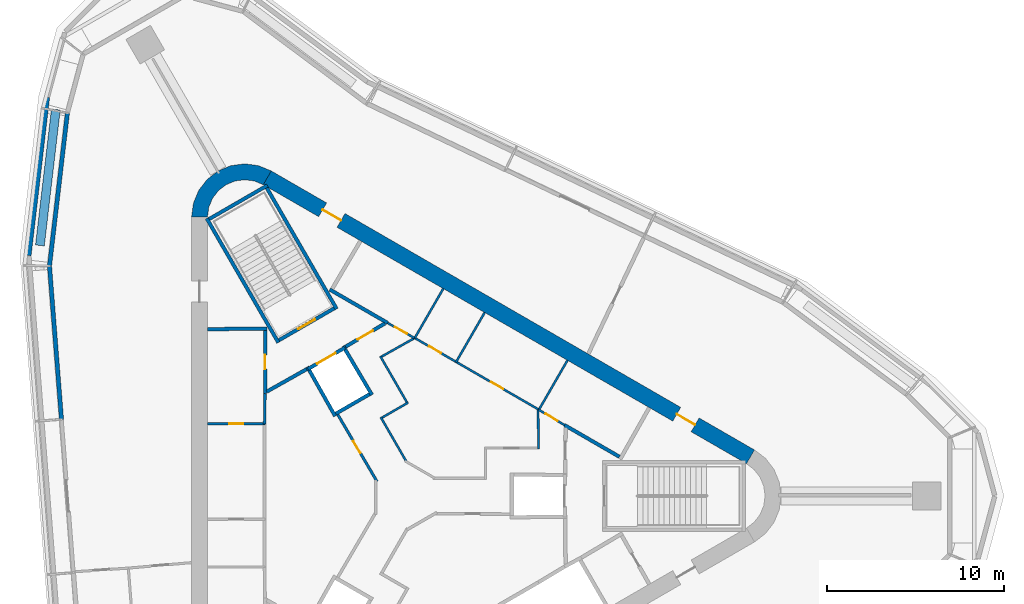
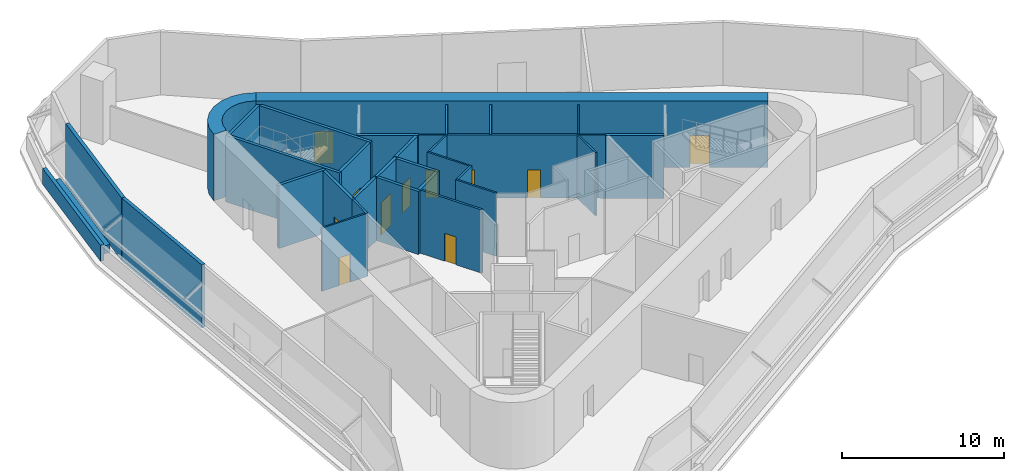
# One storey, part 6 of 8: 34 walls, 12 doors, 12 openings.
"""IFC4 building model written with IfcOpenShell, lengths in metres."""

from ifc_helpers import new_model, si_unit, direction, frame, frame_2d, origin, place, context, subcontext, project, spatial, polyline, rectangle, outline, extrude, material, layer, layer_set, type_object, element, fill, save


model = new_model("IFC4")

# Units and contexts
model_context = context("Model", 3, precision=1e-05, world=origin(), true_north=direction((0.0, 1.0)))
body_context = subcontext(model_context, "Body", "Model", "MODEL_VIEW")
ifc_project = project(units=[si_unit("LENGTHUNIT", "METRE"), si_unit("AREAUNIT", "SQUARE_METRE"), si_unit("VOLUMEUNIT", "CUBIC_METRE"), si_unit("PLANEANGLEUNIT", "RADIAN"), si_unit("MASSUNIT", "GRAM", prefix="KILO")], contexts=[model_context])

# Site, building, storey
site_placement = place(None, origin())
site = spatial("IfcSite", under=ifc_project, at=site_placement, CompositionType="ELEMENT")
building_placement = place(site_placement, origin())
building = spatial("IfcBuilding", under=site, at=building_placement, Name="Tanit Gate Tower", CompositionType="ELEMENT")
storey_placement = place(building_placement, frame((0.0, 0.0, 410.300048828125)))
storey = spatial("IfcBuildingStorey", under=building, at=storey_placement, Name="L93", CompositionType="ELEMENT", Elevation=410.300048828125)

# Wall, openings, doors
ifc_material_1 = material(Name="Concrete C40/50", Category="concrete")
ifc_layer_1 = layer(ifc_material_1, 0.89990234375)
ifc_layer_set_1 = layer_set([ifc_layer_1], Name="CORE WALL 900 C40/50")
wall_type_1 = type_object("IfcWallType", Name="CORE WALL 900 C40/50", PredefinedType="SHEAR", material=ifc_layer_set_1)
wall_1_placement = place(storey_placement, frame((19.47509765625, 2.20849609375, 0.0), z_axis=(0.0, 0.0, 1.0), x_axis=(-0.866028369851, 0.499994862586, 0.0)))
wall_1 = element("IfcWall", 1, at=wall_1_placement, inside=storey, type_object=wall_type_1, Name="CORE WALL", PredefinedType="SHEAR", context=body_context, shape_type="SweptSolid", body=[
    extrude(rectangle(XDim=31.523193359375, YDim=0.89990234375, at=frame_2d((15.76171875, 0.0))), origin(), (0.0, 0.0, 1.0), 5.0),
])
opening_1_placement = place(wall_1_placement, frame((3.611572265625, 0.0, 0.0)))
opening_1 = element("IfcOpeningElement", 2, at=opening_1_placement, cuts=wall_1, Name="Opening F12-93-FL1", PredefinedType="OPENING", context=body_context, shape_type="SweptSolid", body=[
    extrude(rectangle(XDim=1.199951171875, YDim=2.39990234375, at=frame_2d((0.60009765625, 1.199951171875))), frame((0.0, 0.4599609375, 0.0), z_axis=(0.0, -1.0, 0.0), x_axis=(1.0, 0.0, 0.0)), (0.0, 0.0, 1.0), 0.919921875),
])
opening_2_placement = place(wall_1_placement, frame((26.711669921875, 0.0, 0.0)))
opening_2 = element("IfcOpeningElement", 3, at=opening_2_placement, cuts=wall_1, Name="Opening F12-93-S2", PredefinedType="OPENING", context=body_context, shape_type="SweptSolid", body=[
    extrude(rectangle(XDim=1.199951171875, YDim=2.39990234375, at=frame_2d((0.60009765625, 1.199951171875))), frame((0.0, 0.4599609375, 0.0), z_axis=(0.0, -1.0, 0.0), x_axis=(1.0, 0.0, 0.0)), (0.0, 0.0, 1.0), 0.919921875),
])
ifc_material_2 = material(Name="Fire-rated steel door leaf", Category="steel")
door_type_1 = type_object("IfcDoorType", Name="INT-DOOR-FIRE-LOBBY-1200", OperationType="NOTDEFINED", PredefinedType="USERDEFINED", material=ifc_material_2)
door_1_placement = place(opening_1_placement, origin())
door_1 = element("IfcDoor", 4, at=door_1_placement, inside=storey, type_object=door_type_1, Name="Door F12-93-FL1", ObjectType="FIRE DOOR", OperationType="SINGLE_SWING_LEFT", OverallHeight=2.39990234375, OverallWidth=1.199951171875, PredefinedType="USERDEFINED", context=body_context, shape_type="SweptSolid", body=[
    extrude(rectangle(XDim=1.199951171875, YDim=2.39990234375, at=frame_2d((0.60009765625, 1.199951171875))), frame((0.0, 0.02490234375, 0.0), z_axis=(0.0, -1.0, 0.0), x_axis=(1.0, 0.0, 0.0)), (0.0, 0.0, 1.0), 0.050048828125),
])
fill(opening_1, door_1)
door_2_placement = place(opening_2_placement, origin())
door_2 = element("IfcDoor", 5, at=door_2_placement, inside=storey, type_object=door_type_1, Name="Door F12-93-S2", ObjectType="FIRE DOOR", OperationType="SINGLE_SWING_RIGHT", OverallHeight=2.39990234375, OverallWidth=1.199951171875, PredefinedType="USERDEFINED", context=body_context, shape_type="SweptSolid", body=[
    extrude(rectangle(XDim=1.199951171875, YDim=2.39990234375, at=frame_2d((0.60009765625, 1.199951171875))), frame((0.0, 0.02490234375, 0.0), z_axis=(0.0, -1.0, 0.0), x_axis=(1.0, 0.0, 0.0)), (0.0, 0.0, 1.0), 0.050048828125),
])
fill(opening_2, door_2)

# Walls
wall_2_placement = place(storey_placement, origin())
element("IfcWall", 6, at=wall_2_placement, inside=storey, type_object=wall_type_1, Name="CORE WALL CORNER", PredefinedType="SHEAR", context=body_context, shape_type="SweptSolid", body=[
    extrude(outline(polyline([(-7.60009765625, 18.359619140625), (-8.323486328125, 18.659423828125), (-9.10009765625, 18.76171875), (-9.87646484375, 18.659423828125), (-10.60009765625, 18.359619140625), (-11.22119140625, 17.883056640625), (-11.697998046875, 17.26171875), (-11.997802734375, 16.5380859375), (-12.10009765625, 15.76171875), (-11.199951171875, 15.76171875), (-11.12841796875, 16.30517578125), (-10.918701171875, 16.811767578125), (-10.5849609375, 17.24658203125), (-10.14990234375, 17.580322265625), (-9.6435546875, 17.7900390625), (-9.10009765625, 17.86181640625), (-8.556396484375, 17.7900390625), (-8.050048828125, 17.580322265625), (-7.60009765625, 18.359619140625)])), origin(), (0.0, 0.0, 1.0), 5.0),
])
ifc_material_3 = material(Name="Concrete C30/37 with bronze anodised aluminium cladding", Category="concrete")
ifc_layer_2 = layer(ifc_material_3, 0.239990234375)
ifc_layer_set_2 = layer_set([ifc_layer_2], Name="Facade wall bronze clad 240")
wall_type_2 = type_object("IfcWallType", Name="Facade wall bronze clad 240", PredefinedType="SOLIDWALL", material=ifc_layer_set_2)
wall_3_placement = place(storey_placement, frame((-19.11572265625, 21.631591796875, 0.0), z_axis=(0.0, 0.0, 1.0), x_axis=(-0.116339778843, -0.993209472296, 0.0)))
element("IfcWall", 7, at=wall_3_placement, inside=storey, type_object=wall_type_2, Name="Bronze-clad facade wall L93 W1", PredefinedType="SOLIDWALL", context=body_context, shape_type="SweptSolid", body=[
    extrude(rectangle(XDim=8.700439453125, YDim=0.239990234375, at=frame_2d((4.35009765625, 0.0))), origin(), (0.0, 0.0, 1.0), 4.75),
])
wall_4_placement = place(storey_placement, frame((-20.1279296875, 12.990234375, 0.0), z_axis=(0.0, 0.0, 1.0), x_axis=(0.077859344312, -0.996964353677, 0.0)))
element("IfcWall", 8, at=wall_4_placement, inside=storey, type_object=wall_type_2, Name="Bronze-clad facade wall L93 W2a", PredefinedType="SOLIDWALL", context=body_context, shape_type="SweptSolid", body=[
    extrude(rectangle(XDim=8.701416015625, YDim=0.239990234375, at=frame_2d((4.3505859375, 0.0))), origin(), (0.0, 0.0, 1.0), 4.75),
])
ifc_material_4 = material(Name="Fire-rated gypsum board partition")
ifc_layer_3 = layer(ifc_material_4, 0.199951171875)
ifc_layer_set_3 = layer_set([ifc_layer_3], Name="INT-WALL-COMPARTMENT")
wall_type_3 = type_object("IfcWallType", Name="INT-WALL-COMPARTMENT", PredefinedType="PARTITIONING", material=ifc_layer_set_3)
wall_5_placement = place(storey_placement, frame((-7.85009765625, 9.450927734375, 0.0), z_axis=(0.0, 0.0, 1.0), x_axis=(-0.999957167047, -0.009255488683, 0.0)))
element("IfcWall", 9, at=wall_5_placement, inside=storey, type_object=wall_type_3, Name="Wall Compartment W034", PredefinedType="PARTITIONING", context=body_context, shape_type="SweptSolid", body=[
    extrude(rectangle(XDim=3.35009765625, YDim=0.199951171875, at=frame_2d((1.675048828125, 0.0))), origin(), (0.0, 0.0, 1.0), 4.75),
])

# Wall, opening, door
wall_6_placement = place(storey_placement, frame((-7.949951171875, 5.7724609375, 0.0), z_axis=(0.0, 0.0, 1.0), x_axis=(0.0, 1.0, 0.0)))
wall_6 = element("IfcWall", 10, at=wall_6_placement, inside=storey, type_object=wall_type_3, Name="Wall Compartment W035", PredefinedType="PARTITIONING", context=body_context, shape_type="SweptSolid", body=[
    extrude(rectangle(XDim=3.57763671875, YDim=0.199951171875, at=frame_2d((1.788818359375, 0.0))), origin(), (0.0, 0.0, 1.0), 4.75),
])
opening_3_placement = place(wall_6_placement, frame((1.388916015625, 0.0, 0.0)))
opening_3 = element("IfcOpeningElement", 11, at=opening_3_placement, cuts=wall_6, Name="Opening R08-93-13", PredefinedType="OPENING", context=body_context, shape_type="SweptSolid", body=[
    extrude(rectangle(XDim=0.800048828125, YDim=2.10009765625, at=frame_2d((0.39990234375, 1.050048828125))), frame((0.0, 0.10986328125, 0.0), z_axis=(0.0, -1.0, 0.0), x_axis=(1.0, 0.0, 0.0)), (0.0, 0.0, 1.0), 0.219970703125),
])
ifc_material_5 = material(Name="Timber door leaf", Category="wood")
door_type_2 = type_object("IfcDoorType", Name="INT-DOOR-RISER-800", OperationType="NOTDEFINED", PredefinedType="USERDEFINED", material=ifc_material_5)
door_3_placement = place(opening_3_placement, origin())
door_3 = element("IfcDoor", 12, at=door_3_placement, inside=storey, type_object=door_type_2, Name="Door R08-93-13", ObjectType="FIRE DOOR", OperationType="SINGLE_SWING_LEFT", OverallHeight=2.10009765625, OverallWidth=0.800048828125, PredefinedType="USERDEFINED", context=body_context, shape_type="SweptSolid", body=[
    extrude(rectangle(XDim=0.800048828125, YDim=2.10009765625, at=frame_2d((0.39990234375, 1.050048828125))), frame((0.0, 0.02490234375, 0.0), z_axis=(0.0, -1.0, 0.0), x_axis=(1.0, 0.0, 0.0)), (0.0, 0.0, 1.0), 0.050048828125),
])
fill(opening_3, door_3)

# Walls
wall_7_placement = place(storey_placement, frame((-4.295654296875, 11.659912109375, 0.0), z_axis=(0.0, 0.0, 1.0), x_axis=(0.866027389382, -0.499996560828, 0.0)))
element("IfcWall", 13, at=wall_7_placement, inside=storey, type_object=wall_type_3, Name="Wall Compartment W052", PredefinedType="PARTITIONING", context=body_context, shape_type="SweptSolid", body=[
    extrude(rectangle(XDim=3.77783203125, YDim=0.199951171875, at=frame_2d((1.888916015625, 0.0))), origin(), (0.0, 0.0, 1.0), 4.75),
])
wall_8_placement = place(storey_placement, frame((8.97412109375, 3.998779296875, 0.0), z_axis=(0.0, 0.0, 1.0), x_axis=(0.86601284211, -0.500021756827, 0.0)))
element("IfcWall", 14, at=wall_8_placement, inside=storey, type_object=wall_type_3, Name="Wall Compartment W046", PredefinedType="PARTITIONING", context=body_context, shape_type="SweptSolid", body=[
    extrude(rectangle(XDim=3.577392578125, YDim=0.199951171875, at=frame_2d((1.78857421875, 0.0))), origin(), (0.0, 0.0, 1.0), 4.75),
])
wall_9_placement = place(storey_placement, frame((-5.600341796875, 7.16015625, 0.0), z_axis=(0.0, 0.0, 1.0), x_axis=(-0.871350695252, -0.490660744185, 0.0)))
element("IfcWall", 15, at=wall_9_placement, inside=storey, type_object=wall_type_3, Name="Wall Compartment W064", PredefinedType="PARTITIONING", context=body_context, shape_type="SweptSolid", body=[
    extrude(rectangle(XDim=2.58203125, YDim=0.199951171875, at=frame_2d((1.291015625, 0.0))), origin(), (0.0, 0.0, 1.0), 4.75),
])

# Wall, opening, door
wall_10_placement = place(storey_placement, frame((-1.1787109375, 9.744873046875, 0.0), z_axis=(0.0, 0.0, 1.0), x_axis=(-0.860630814782, -0.509229418482, 0.0)))
wall_10 = element("IfcWall", 16, at=wall_10_placement, inside=storey, type_object=wall_type_3, Name="Wall Compartment W065", PredefinedType="PARTITIONING", context=body_context, shape_type="SweptSolid", body=[
    extrude(rectangle(XDim=2.581787109375, YDim=0.199951171875, at=frame_2d((1.291015625, 0.0))), origin(), (0.0, 0.0, 1.0), 4.75),
])
opening_4_placement = place(wall_10_placement, frame((0.791015625, 0.0, 0.0)))
opening_4 = element("IfcOpeningElement", 17, at=opening_4_placement, cuts=wall_10, Name="Opening F10-93-05", PredefinedType="OPENING", context=body_context, shape_type="SweptSolid", body=[
    extrude(rectangle(XDim=1.0, YDim=2.10009765625, at=frame_2d((0.5, 1.050048828125))), frame((0.0, 0.10986328125, 0.0), z_axis=(0.0, -1.0, 0.0), x_axis=(1.0, 0.0, 0.0)), (0.0, 0.0, 1.0), 0.219970703125),
])
ifc_material_6 = material(Name="Fire-rated steel door leaf", Category="steel")
door_type_3 = type_object("IfcDoorType", Name="INT-DOOR-FIRE-1000", OperationType="NOTDEFINED", PredefinedType="USERDEFINED", material=ifc_material_6)
door_4_placement = place(opening_4_placement, origin())
door_4 = element("IfcDoor", 18, at=door_4_placement, inside=storey, type_object=door_type_3, Name="Door F10-93-05", ObjectType="FIRE DOOR", OperationType="SINGLE_SWING_LEFT", OverallHeight=2.10009765625, OverallWidth=1.0, PredefinedType="USERDEFINED", context=body_context, shape_type="SweptSolid", body=[
    extrude(rectangle(XDim=1.0, YDim=2.10009765625, at=frame_2d((0.5, 1.050048828125))), frame((0.0, 0.02490234375, 0.0), z_axis=(0.0, -1.0, 0.0), x_axis=(1.0, 0.0, 0.0)), (0.0, 0.0, 1.0), 0.050048828125),
])
fill(opening_4, door_4)

ifc_material_7 = material(Name="Gypsum board partition")
ifc_layer_4 = layer(ifc_material_7, 0.1201171875)
ifc_layer_set_4 = layer_set([ifc_layer_4], Name="INT-WALL-PARTITION")
wall_type_4 = type_object("IfcWallType", Name="INT-WALL-PARTITION", PredefinedType="PARTITIONING", material=ifc_layer_set_4)
wall_11_placement = place(storey_placement, frame((-11.199951171875, 4.080078125, 0.0), z_axis=(0.0, 0.0, 1.0), x_axis=(1.0, 0.0, 0.0)))
wall_11 = element("IfcWall", 19, at=wall_11_placement, inside=storey, type_object=wall_type_4, Name="Wall Partition W033", PredefinedType="PARTITIONING", context=body_context, shape_type="SweptSolid", body=[
    extrude(rectangle(XDim=3.25, YDim=0.1201171875, at=frame_2d((1.625, 0.0))), origin(), (0.0, 0.0, 1.0), 4.75),
])
opening_5_placement = place(wall_11_placement, frame((1.22509765625, 0.0, 0.0)))
opening_5 = element("IfcOpeningElement", 20, at=opening_5_placement, cuts=wall_11, Name="Opening R08-93-14", PredefinedType="OPENING", context=body_context, shape_type="SweptSolid", body=[
    extrude(rectangle(XDim=0.800048828125, YDim=2.10009765625, at=frame_2d((0.39990234375, 1.050048828125))), frame((0.0, 0.070068359375, 0.0), z_axis=(0.0, -1.0, 0.0), x_axis=(1.0, 0.0, 0.0)), (0.0, 0.0, 1.0), 0.14013671875),
])
door_5_placement = place(opening_5_placement, origin())
door_5 = element("IfcDoor", 21, at=door_5_placement, inside=storey, type_object=door_type_2, Name="Door R08-93-14", ObjectType="FIRE DOOR", OperationType="SINGLE_SWING_LEFT", OverallHeight=2.10009765625, OverallWidth=0.800048828125, PredefinedType="USERDEFINED", context=body_context, shape_type="SweptSolid", body=[
    extrude(rectangle(XDim=0.800048828125, YDim=2.10009765625, at=frame_2d((0.39990234375, 1.050048828125))), frame((0.0, 0.02490234375, 0.0), z_axis=(0.0, -1.0, 0.0), x_axis=(1.0, 0.0, 0.0)), (0.0, 0.0, 1.0), 0.050048828125),
])
fill(opening_5, door_5)

# Wall
wall_12_placement = place(storey_placement, frame((9.13330078125, 7.659423828125, 0.0), z_axis=(0.0, 0.0, 1.0), x_axis=(-0.500017246033, -0.866015446554, 0.0)))
element("IfcWall", 22, at=wall_12_placement, inside=storey, type_object=wall_type_4, Name="Wall Partition W044", PredefinedType="PARTITIONING", context=body_context, shape_type="SweptSolid", body=[
    extrude(rectangle(XDim=3.25, YDim=0.1201171875, at=frame_2d((1.625, 0.0))), origin(), (0.0, 0.0, 1.0), 4.75),
])

# Wall, opening, door
wall_13_placement = place(storey_placement, frame((7.4931640625, 4.87841796875, 0.0), z_axis=(0.0, 0.0, 1.0), x_axis=(0.859934455514, -0.510404479035, 0.0)))
wall_13 = element("IfcWall", 23, at=wall_13_placement, inside=storey, type_object=wall_type_4, Name="Wall Partition W047", PredefinedType="PARTITIONING", context=body_context, shape_type="SweptSolid", body=[
    extrude(rectangle(XDim=1.722412109375, YDim=0.1201171875, at=frame_2d((0.861328125, 0.0))), origin(), (0.0, 0.0, 1.0), 4.75),
])
opening_6_placement = place(wall_13_placement, frame((0.461181640625, 0.0, 0.0)))
opening_6 = element("IfcOpeningElement", 24, at=opening_6_placement, cuts=wall_13, Name="Opening R08-93-17", PredefinedType="OPENING", context=body_context, shape_type="SweptSolid", body=[
    extrude(rectangle(XDim=0.800048828125, YDim=2.10009765625, at=frame_2d((0.39990234375, 1.050048828125))), frame((0.0, 0.070068359375, 0.0), z_axis=(0.0, -1.0, 0.0), x_axis=(1.0, 0.0, 0.0)), (0.0, 0.0, 1.0), 0.14013671875),
])
door_6_placement = place(opening_6_placement, origin())
door_6 = element("IfcDoor", 25, at=door_6_placement, inside=storey, type_object=door_type_2, Name="Door R08-93-17", ObjectType="FIRE DOOR", OperationType="SINGLE_SWING_RIGHT", OverallHeight=2.10009765625, OverallWidth=0.800048828125, PredefinedType="USERDEFINED", context=body_context, shape_type="SweptSolid", body=[
    extrude(rectangle(XDim=0.800048828125, YDim=2.10009765625, at=frame_2d((0.39990234375, 1.050048828125))), frame((0.0, 0.02490234375, 0.0), z_axis=(0.0, -1.0, 0.0), x_axis=(1.0, 0.0, 0.0)), (0.0, 0.0, 1.0), 0.050048828125),
])
fill(opening_6, door_6)

# Wall
wall_14_placement = place(storey_placement, frame((4.456787109375, 10.359375, 0.0), z_axis=(0.0, 0.0, 1.0), x_axis=(-0.500017246033, -0.866015446554, 0.0)))
element("IfcWall", 26, at=wall_14_placement, inside=storey, type_object=wall_type_4, Name="Wall Partition W048", PredefinedType="PARTITIONING", context=body_context, shape_type="SweptSolid", body=[
    extrude(rectangle(XDim=3.25, YDim=0.1201171875, at=frame_2d((1.625, 0.0))), origin(), (0.0, 0.0, 1.0), 4.75),
])

# Wall, openings, doors
wall_15_placement = place(storey_placement, frame((7.497314453125, 4.885986328125, 0.0), z_axis=(0.0, 0.0, 1.0), x_axis=(-0.866030989016, 0.499990325971, 0.0)))
wall_15 = element("IfcWall", 27, at=wall_15_placement, inside=storey, type_object=wall_type_4, Name="Wall Partition W049", PredefinedType="PARTITIONING", context=body_context, shape_type="SweptSolid", body=[
    extrude(rectangle(XDim=8.099853515625, YDim=0.1201171875, at=frame_2d((4.0498046875, 0.0))), origin(), (0.0, 0.0, 1.0), 4.75),
])
opening_7_placement = place(wall_15_placement, frame((2.300048828125, 0.0, 0.0)))
opening_7 = element("IfcOpeningElement", 28, at=opening_7_placement, cuts=wall_15, Name="Opening R08-93-18", PredefinedType="OPENING", context=body_context, shape_type="SweptSolid", body=[
    extrude(rectangle(XDim=0.800048828125, YDim=2.10009765625, at=frame_2d((0.39990234375, 1.050048828125))), frame((0.0, 0.070068359375, 0.0), z_axis=(0.0, -1.0, 0.0), x_axis=(1.0, 0.0, 0.0)), (0.0, 0.0, 1.0), 0.14013671875),
])
opening_8_placement = place(wall_15_placement, frame((6.35009765625, 0.0, 0.0)))
opening_8 = element("IfcOpeningElement", 29, at=opening_8_placement, cuts=wall_15, Name="Opening R08-93-19", PredefinedType="OPENING", context=body_context, shape_type="SweptSolid", body=[
    extrude(rectangle(XDim=0.800048828125, YDim=2.10009765625, at=frame_2d((0.39990234375, 1.050048828125))), frame((0.0, 0.070068359375, 0.0), z_axis=(0.0, -1.0, 0.0), x_axis=(1.0, 0.0, 0.0)), (0.0, 0.0, 1.0), 0.14013671875),
])
door_7_placement = place(opening_7_placement, origin())
door_7 = element("IfcDoor", 30, at=door_7_placement, inside=storey, type_object=door_type_2, Name="Door R08-93-18", ObjectType="FIRE DOOR", OperationType="SINGLE_SWING_RIGHT", OverallHeight=2.10009765625, OverallWidth=0.800048828125, PredefinedType="USERDEFINED", context=body_context, shape_type="SweptSolid", body=[
    extrude(rectangle(XDim=0.800048828125, YDim=2.10009765625, at=frame_2d((0.39990234375, 1.050048828125))), frame((0.0, 0.02490234375, 0.0), z_axis=(0.0, -1.0, 0.0), x_axis=(1.0, 0.0, 0.0)), (0.0, 0.0, 1.0), 0.050048828125),
])
fill(opening_7, door_7)
door_8_placement = place(opening_8_placement, origin())
door_8 = element("IfcDoor", 31, at=door_8_placement, inside=storey, type_object=door_type_2, Name="Door R08-93-19", ObjectType="FIRE DOOR", OperationType="SINGLE_SWING_LEFT", OverallHeight=2.10009765625, OverallWidth=0.800048828125, PredefinedType="USERDEFINED", context=body_context, shape_type="SweptSolid", body=[
    extrude(rectangle(XDim=0.800048828125, YDim=2.10009765625, at=frame_2d((0.39990234375, 1.050048828125))), frame((0.0, 0.02490234375, 0.0), z_axis=(0.0, -1.0, 0.0), x_axis=(1.0, 0.0, 0.0)), (0.0, 0.0, 1.0), 0.050048828125),
])
fill(opening_8, door_8)

# Wall
wall_16_placement = place(storey_placement, frame((0.49365234375, 8.89501953125, 0.0), z_axis=(0.0, 0.0, 1.0), x_axis=(0.500017246033, 0.866015446554, 0.0)))
element("IfcWall", 32, at=wall_16_placement, inside=storey, type_object=wall_type_4, Name="Wall Partition W050", PredefinedType="PARTITIONING", context=body_context, shape_type="SweptSolid", body=[
    extrude(rectangle(XDim=3.25, YDim=0.1201171875, at=frame_2d((1.625, 0.0))), origin(), (0.0, 0.0, 1.0), 4.75),
])

# Wall, opening, door
wall_17_placement = place(storey_placement, frame((-1.023681640625, 9.771728515625, 0.0), z_axis=(0.0, 0.0, 1.0), x_axis=(0.871968924608, -0.489561226527, 0.0)))
wall_17 = element("IfcWall", 33, at=wall_17_placement, inside=storey, type_object=wall_type_4, Name="Wall Partition W054", PredefinedType="PARTITIONING", context=body_context, shape_type="SweptSolid", body=[
    extrude(rectangle(XDim=1.722412109375, YDim=0.1201171875, at=frame_2d((0.861328125, 0.0))), origin(), (0.0, 0.0, 1.0), 4.75),
])
opening_9_placement = place(wall_17_placement, frame((0.461181640625, 0.0, 0.0)))
opening_9 = element("IfcOpeningElement", 34, at=opening_9_placement, cuts=wall_17, Name="Opening R08-93-20", PredefinedType="OPENING", context=body_context, shape_type="SweptSolid", body=[
    extrude(rectangle(XDim=0.800048828125, YDim=2.10009765625, at=frame_2d((0.39990234375, 1.050048828125))), frame((0.0, 0.070068359375, 0.0), z_axis=(0.0, -1.0, 0.0), x_axis=(1.0, 0.0, 0.0)), (0.0, 0.0, 1.0), 0.14013671875),
])
door_9_placement = place(opening_9_placement, origin())
door_9 = element("IfcDoor", 35, at=door_9_placement, inside=storey, type_object=door_type_2, Name="Door R08-93-20", ObjectType="FIRE DOOR", OperationType="SINGLE_SWING_LEFT", OverallHeight=2.10009765625, OverallWidth=0.800048828125, PredefinedType="USERDEFINED", context=body_context, shape_type="SweptSolid", body=[
    extrude(rectangle(XDim=0.800048828125, YDim=2.10009765625, at=frame_2d((0.39990234375, 1.050048828125))), frame((0.0, 0.02490234375, 0.0), z_axis=(0.0, -1.0, 0.0), x_axis=(1.0, 0.0, 0.0)), (0.0, 0.0, 1.0), 0.050048828125),
])
fill(opening_9, door_9)

# Walls
wall_18_placement = place(storey_placement, frame((7.500732421875, 2.639892578125, 0.0), z_axis=(0.0, 0.0, 1.0), x_axis=(-0.01174194727, 0.999931060961, 0.0)))
element("IfcWall", 36, at=wall_18_placement, inside=storey, type_object=wall_type_4, Name="Wall Partition W077", PredefinedType="PARTITIONING", context=body_context, shape_type="SweptSolid", body=[
    extrude(rectangle(XDim=2.224853515625, YDim=0.1201171875, at=frame_2d((1.1123046875, 0.0))), origin(), (0.0, 0.0, 1.0), 4.75),
])
wall_19_placement = place(storey_placement, frame((-1.4140625, 4.448974609375, 0.0), z_axis=(0.0, 0.0, 1.0), x_axis=(0.500028961621, -0.866008682139, 0.0)))
element("IfcWall", 37, at=wall_19_placement, inside=storey, type_object=wall_type_4, Name="Wall Partition W082", PredefinedType="PARTITIONING", context=body_context, shape_type="SweptSolid", body=[
    extrude(rectangle(XDim=2.895751953125, YDim=0.1201171875, at=frame_2d((1.44775390625, 0.0))), origin(), (0.0, 0.0, 1.0), 4.75),
])
wall_20_placement = place(storey_placement, frame((0.14013671875, 5.277099609375, 0.0), z_axis=(0.0, 0.0, 1.0), x_axis=(-0.865989465428, -0.500062241894, 0.0)))
element("IfcWall", 38, at=wall_20_placement, inside=storey, type_object=wall_type_4, Name="Wall Partition W083", PredefinedType="PARTITIONING", context=body_context, shape_type="SweptSolid", body=[
    extrude(rectangle(XDim=1.699951171875, YDim=0.1201171875, at=frame_2d((0.85009765625, 0.0))), origin(), (0.0, 0.0, 1.0), 4.75),
])
wall_21_placement = place(storey_placement, frame((-1.441650390625, 7.897216796875, 0.0), z_axis=(0.0, 0.0, 1.0), x_axis=(0.499990139034, -0.866031096941, 0.0)))
element("IfcWall", 39, at=wall_21_placement, inside=storey, type_object=wall_type_4, Name="Wall Partition W084", PredefinedType="PARTITIONING", context=body_context, shape_type="SweptSolid", body=[
    extrude(rectangle(XDim=3.0, YDim=0.1201171875, at=frame_2d((1.5, 0.0))), origin(), (0.0, 0.0, 1.0), 4.75),
])
wall_22_placement = place(storey_placement, frame((0.475341796875, 8.9052734375, 0.0), z_axis=(0.0, 0.0, 1.0), x_axis=(-0.871832572129, -0.489804007921, 0.0)))
element("IfcWall", 40, at=wall_22_placement, inside=storey, type_object=wall_type_4, Name="Wall Partition W085", PredefinedType="PARTITIONING", context=body_context, shape_type="SweptSolid", body=[
    extrude(rectangle(XDim=2.1044921875, YDim=0.1201171875, at=frame_2d((1.05224609375, 0.0))), origin(), (0.0, 0.0, 1.0), 4.75),
])
ifc_material_8 = material(Name="Fire-rated gypsum board partition")
ifc_layer_5 = layer(ifc_material_8, 0.14990234375)
ifc_layer_set_5 = layer_set([ifc_layer_5], Name="INT-WALL-RISER")
wall_type_5 = type_object("IfcWallType", Name="INT-WALL-RISER", PredefinedType="PLUMBINGWALL", material=ifc_layer_set_5)
wall_23_placement = place(storey_placement, frame((-7.951171875, 5.7724609375, 0.0), z_axis=(0.0, 0.0, 1.0), x_axis=(-0.016723387416, -0.999860154378, 0.0)))
element("IfcWall", 41, at=wall_23_placement, inside=storey, type_object=wall_type_5, Name="Wall Riser W036", PredefinedType="PLUMBINGWALL", context=body_context, shape_type="SweptSolid", body=[
    extrude(rectangle(XDim=1.72265625, YDim=0.14990234375, at=frame_2d((0.861328125, 0.0))), origin(), (0.0, 0.0, 1.0), 4.75),
])

# Wall, opening, door
wall_24_placement = place(storey_placement, frame((-1.6240234375, 0.814697265625, 0.0), z_axis=(0.0, 0.0, 1.0), x_axis=(-0.505868173579, 0.862610799237, 0.0)))
wall_24 = element("IfcWall", 42, at=wall_24_placement, inside=storey, type_object=wall_type_5, Name="Wall Riser W068", PredefinedType="PLUMBINGWALL", context=body_context, shape_type="SweptSolid", body=[
    extrude(rectangle(XDim=4.382568359375, YDim=0.14990234375, at=frame_2d((2.19140625, 0.0))), origin(), (0.0, 0.0, 1.0), 4.75),
])
opening_10_placement = place(wall_24_placement, frame((1.855224609375, 0.0, 0.0)))
opening_10 = element("IfcOpeningElement", 43, at=opening_10_placement, cuts=wall_24, Name="Opening R08-93-10", PredefinedType="OPENING", context=body_context, shape_type="SweptSolid", body=[
    extrude(rectangle(XDim=0.800048828125, YDim=2.10009765625, at=frame_2d((0.39990234375, 1.050048828125))), frame((0.0, 0.0849609375, 0.0), z_axis=(0.0, -1.0, 0.0), x_axis=(1.0, 0.0, 0.0)), (0.0, 0.0, 1.0), 0.169921875),
])
door_10_placement = place(opening_10_placement, origin())
door_10 = element("IfcDoor", 44, at=door_10_placement, inside=storey, type_object=door_type_2, Name="Door R08-93-10", ObjectType="FIRE DOOR", OperationType="SINGLE_SWING_RIGHT", OverallHeight=2.10009765625, OverallWidth=0.800048828125, PredefinedType="USERDEFINED", context=body_context, shape_type="SweptSolid", body=[
    extrude(rectangle(XDim=0.800048828125, YDim=2.10009765625, at=frame_2d((0.39990234375, 1.050048828125))), frame((0.0, 0.02490234375, 0.0), z_axis=(0.0, -1.0, 0.0), x_axis=(1.0, 0.0, 0.0)), (0.0, 0.0, 1.0), 0.050048828125),
])
fill(opening_10, door_10)

ifc_material_9 = material(Name="Gypsum shaft wall system")
ifc_layer_6 = layer(ifc_material_9, 0.199951171875)
ifc_layer_set_6 = layer_set([ifc_layer_6], Name="INT-WALL-SHAFT")
wall_type_6 = type_object("IfcWallType", Name="INT-WALL-SHAFT", PredefinedType="PLUMBINGWALL", material=ifc_layer_set_6)
wall_25_placement = place(storey_placement, frame((-5.524169921875, 7.168212890625, 0.0), z_axis=(0.0, 0.0, 1.0), x_axis=(0.866024647952, 0.500001309137, 0.0)))
wall_25 = element("IfcWall", 45, at=wall_25_placement, inside=storey, type_object=wall_type_6, Name="Wall Shaft W019", PredefinedType="PLUMBINGWALL", context=body_context, shape_type="SweptSolid", body=[
    extrude(rectangle(XDim=2.39990234375, YDim=0.199951171875, at=frame_2d((1.199951171875, 0.0))), origin(), (0.0, 0.0, 1.0), 4.75),
])
opening_11_placement = place(wall_25_placement, frame((0.60009765625, 0.0, 0.0)))
opening_11 = element("IfcOpeningElement", 46, at=opening_11_placement, cuts=wall_25, Name="Opening LDFL2-L93", PredefinedType="OPENING", context=body_context, shape_type="SweptSolid", body=[
    extrude(rectangle(XDim=1.199951171875, YDim=2.39990234375, at=frame_2d((0.60009765625, 1.199951171875))), frame((0.0, 0.10986328125, 0.0), z_axis=(0.0, -1.0, 0.0), x_axis=(1.0, 0.0, 0.0)), (0.0, 0.0, 1.0), 0.219970703125),
])
ifc_material_10 = material(Name="Stainless steel sliding door leaf", Category="steel")
door_type_4 = type_object("IfcDoorType", Name="INT-DOOR-LANDING-1200", OperationType="NOTDEFINED", PredefinedType="USERDEFINED", material=ifc_material_10)
door_11_placement = place(opening_11_placement, origin())
door_11 = element("IfcDoor", 47, at=door_11_placement, inside=storey, type_object=door_type_4, Name="Door LDFL2-L93", ObjectType="LANDING DOOR", OperationType="SLIDING_TO_LEFT", OverallHeight=2.39990234375, OverallWidth=1.199951171875, PredefinedType="USERDEFINED", context=body_context, shape_type="SweptSolid", body=[
    extrude(rectangle(XDim=1.199951171875, YDim=2.39990234375, at=frame_2d((0.60009765625, 1.199951171875))), frame((0.0, 0.02490234375, 0.0), z_axis=(0.0, -1.0, 0.0), x_axis=(1.0, 0.0, 0.0)), (0.0, 0.0, 1.0), 0.050048828125),
])
fill(opening_11, door_11)

# Walls
wall_26_placement = place(storey_placement, frame((-2.04736328125, 5.74609375, 0.0), z_axis=(0.0, 0.0, 1.0), x_axis=(-0.86605622881, -0.499946605688, 0.0)))
element("IfcWall", 48, at=wall_26_placement, inside=storey, type_object=wall_type_6, Name="Wall Shaft W023", PredefinedType="PLUMBINGWALL", context=body_context, shape_type="SweptSolid", body=[
    extrude(rectangle(XDim=2.199951171875, YDim=0.199951171875, at=frame_2d((1.10009765625, 0.0))), origin(), (0.0, 0.0, 1.0), 4.75),
])
wall_27_placement = place(storey_placement, frame((-3.989990234375, 4.509033203125, 0.0), z_axis=(0.0, 0.0, 1.0), x_axis=(-0.491358283181, 0.870957540612, 0.0)))
element("IfcWall", 49, at=wall_27_placement, inside=storey, type_object=wall_type_6, Name="Wall Shaft W021", PredefinedType="PLUMBINGWALL", context=body_context, shape_type="SweptSolid", body=[
    extrude(rectangle(XDim=3.200439453125, YDim=0.199951171875, at=frame_2d((1.60009765625, 0.0))), origin(), (0.0, 0.0, 1.0), 4.75),
])
wall_28_placement = place(storey_placement, frame((-3.53759765625, 8.46533203125, 0.0), z_axis=(0.0, 0.0, 1.0), x_axis=(0.508616218331, -0.860993346345, 0.0)))
element("IfcWall", 50, at=wall_28_placement, inside=storey, type_object=wall_type_6, Name="Wall Shaft W022", PredefinedType="PLUMBINGWALL", context=body_context, shape_type="SweptSolid", body=[
    extrude(rectangle(XDim=3.2001953125, YDim=0.199951171875, at=frame_2d((1.60009765625, 0.0))), origin(), (0.0, 0.0, 1.0), 4.75),
])
ifc_material_11 = material(Name="Concrete C40/50", Category="concrete")
ifc_layer_7 = layer(ifc_material_11, 0.199951171875)
ifc_layer_set_7 = layer_set([ifc_layer_7], Name="INT-WALL-STAIR")
wall_type_7 = type_object("IfcWallType", Name="INT-WALL-STAIR", PredefinedType="SHEAR", material=ifc_layer_set_7)
wall_29_placement = place(storey_placement, frame((-11.245361328125, 15.677734375, -0.25), z_axis=(0.0, 0.0, 1.0), x_axis=(0.499977274689, -0.866038523851, 0.0)))
element("IfcWall", 51, at=wall_29_placement, inside=storey, type_object=wall_type_7, Name="Wall Stair W015", PredefinedType="SHEAR", context=body_context, shape_type="SweptSolid", body=[
    extrude(rectangle(XDim=8.10009765625, YDim=0.199951171875, at=frame_2d((4.050048828125, 0.0))), origin(), (0.0, 0.0, 1.0), 5.0),
])
wall_30_placement = place(storey_placement, frame((-7.81787109375, 17.541015625, -0.25), z_axis=(0.0, 0.0, 1.0), x_axis=(-0.866044365799, -0.499967155389, 0.0)))
element("IfcWall", 52, at=wall_30_placement, inside=storey, type_object=wall_type_7, Name="Wall Stair W016", PredefinedType="SHEAR", context=body_context, shape_type="SweptSolid", body=[
    extrude(rectangle(XDim=3.800048828125, YDim=0.199951171875, at=frame_2d((1.89990234375, 0.0))), origin(), (0.0, 0.0, 1.0), 5.0),
])
wall_31_placement = place(storey_placement, frame((-7.8544921875, 17.404541015625, -0.25), z_axis=(0.0, 0.0, 1.0), x_axis=(0.499997992926, -0.866026562566, 0.0)))
element("IfcWall", 53, at=wall_31_placement, inside=storey, type_object=wall_type_7, Name="Wall Stair W017", PredefinedType="SHEAR", context=body_context, shape_type="SweptSolid", body=[
    extrude(rectangle(XDim=7.89990234375, YDim=0.199951171875, at=frame_2d((3.949951171875, 0.0))), origin(), (0.0, 0.0, 1.0), 5.0),
])

# Wall, opening, door
wall_32_placement = place(storey_placement, frame((-7.158935546875, 8.799560546875, -0.25), z_axis=(0.0, 0.0, 1.0), x_axis=(0.866047807691, 0.499961193289, 0.0)))
wall_32 = element("IfcWall", 54, at=wall_32_placement, inside=storey, type_object=wall_type_7, Name="Wall Stair W018", PredefinedType="SHEAR", context=body_context, shape_type="SweptSolid", body=[
    extrude(rectangle(XDim=3.599853515625, YDim=0.199951171875, at=frame_2d((1.7998046875, 0.0))), origin(), (0.0, 0.0, 1.0), 5.0),
])
opening_12_placement = place(wall_32_placement, frame((1.25, 0.0, 0.25)))
opening_12 = element("IfcOpeningElement", 55, at=opening_12_placement, cuts=wall_32, Name="Opening S11-93-04", PredefinedType="OPENING", context=body_context, shape_type="SweptSolid", body=[
    extrude(rectangle(XDim=1.10009765625, YDim=2.10009765625, at=frame_2d((0.550048828125, 1.050048828125))), frame((0.0, 0.10986328125, 0.0), z_axis=(0.0, -1.0, 0.0), x_axis=(1.0, 0.0, 0.0)), (0.0, 0.0, 1.0), 0.219970703125),
])
ifc_material_12 = material(Name="Timber door leaf", Category="wood")
door_type_5 = type_object("IfcDoorType", Name="INT-DOOR-STAIR-1100", OperationType="NOTDEFINED", PredefinedType="USERDEFINED", material=ifc_material_12)
door_12_placement = place(opening_12_placement, origin())
door_12 = element("IfcDoor", 56, at=door_12_placement, inside=storey, type_object=door_type_5, Name="Door S11-93-04", ObjectType="FIRE DOOR", OperationType="SINGLE_SWING_LEFT", OverallHeight=2.10009765625, OverallWidth=1.10009765625, PredefinedType="USERDEFINED", context=body_context, shape_type="SweptSolid", body=[
    extrude(rectangle(XDim=1.10009765625, YDim=2.10009765625, at=frame_2d((0.550048828125, 1.050048828125))), frame((0.0, 0.02490234375, 0.0), z_axis=(0.0, -1.0, 0.0), x_axis=(1.0, 0.0, 0.0)), (0.0, 0.0, 1.0), 0.050048828125),
])
fill(opening_12, door_12)

# Walls
ifc_material_13 = material(Name="Concrete C30/37", Category="concrete")
ifc_layer_8 = layer(ifc_material_13, 0.25)
ifc_layer_set_8 = layer_set([ifc_layer_8], Name="Parapet wall 250")
wall_type_8 = type_object("IfcWallType", Name="Parapet wall 250", PredefinedType="PARAPET", material=ifc_layer_set_8)
wall_33_placement = place(storey_placement, frame((-21.2900390625, 13.57666015625, 0.0400390625), z_axis=(0.0, 0.0, 1.0), x_axis=(0.116312675841, 0.993212646637, 0.0)))
element("IfcWall", 57, at=wall_33_placement, inside=storey, type_object=wall_type_8, Name="Terrace parapet L93 14", PredefinedType="PARAPET", context=body_context, shape_type="SweptSolid", body=[
    extrude(rectangle(XDim=9.004638671875, YDim=0.25, at=frame_2d((4.50244140625, 0.0))), origin(), (0.0, 0.0, 1.0), 1.199951171875),
])
ifc_material_14 = material(Name="Concrete C30/37", Category="concrete")
ifc_layer_9 = layer(ifc_material_14, 0.5)
ifc_layer_set_9 = layer_set([ifc_layer_9], Name="Planter box 600")
wall_type_9 = type_object("IfcWallType", Name="Planter box 600", PredefinedType="PARAPET", material=ifc_layer_set_9)
wall_34_placement = place(storey_placement, frame((-20.669189453125, 14.149658203125, 0.0400390625), z_axis=(0.0, 0.0, 1.0), x_axis=(0.116313655275, 0.993212531937, 0.0)))
element("IfcWall", 58, at=wall_34_placement, inside=storey, type_object=wall_type_9, Name="PLANTER", PredefinedType="PARAPET", context=body_context, shape_type="SweptSolid", body=[
    extrude(rectangle(XDim=7.732666015625, YDim=0.5, at=frame_2d((3.8662109375, 0.0))), origin(), (0.0, 0.0, 1.0), 0.599853515625),
])

save(model, "model.ifc")
